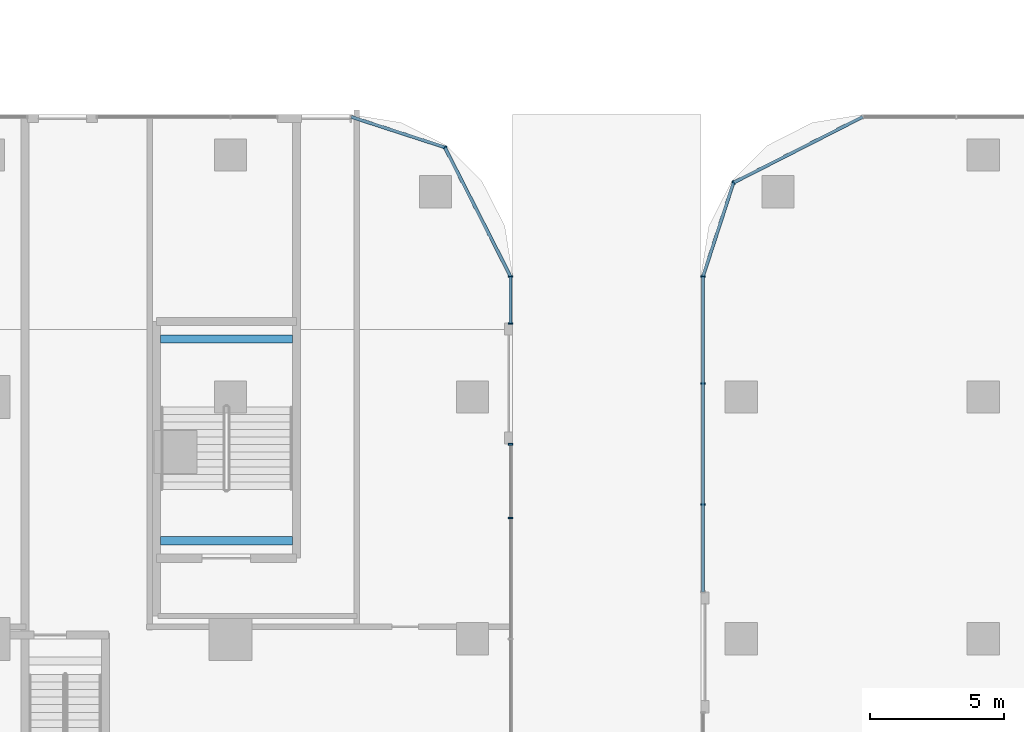
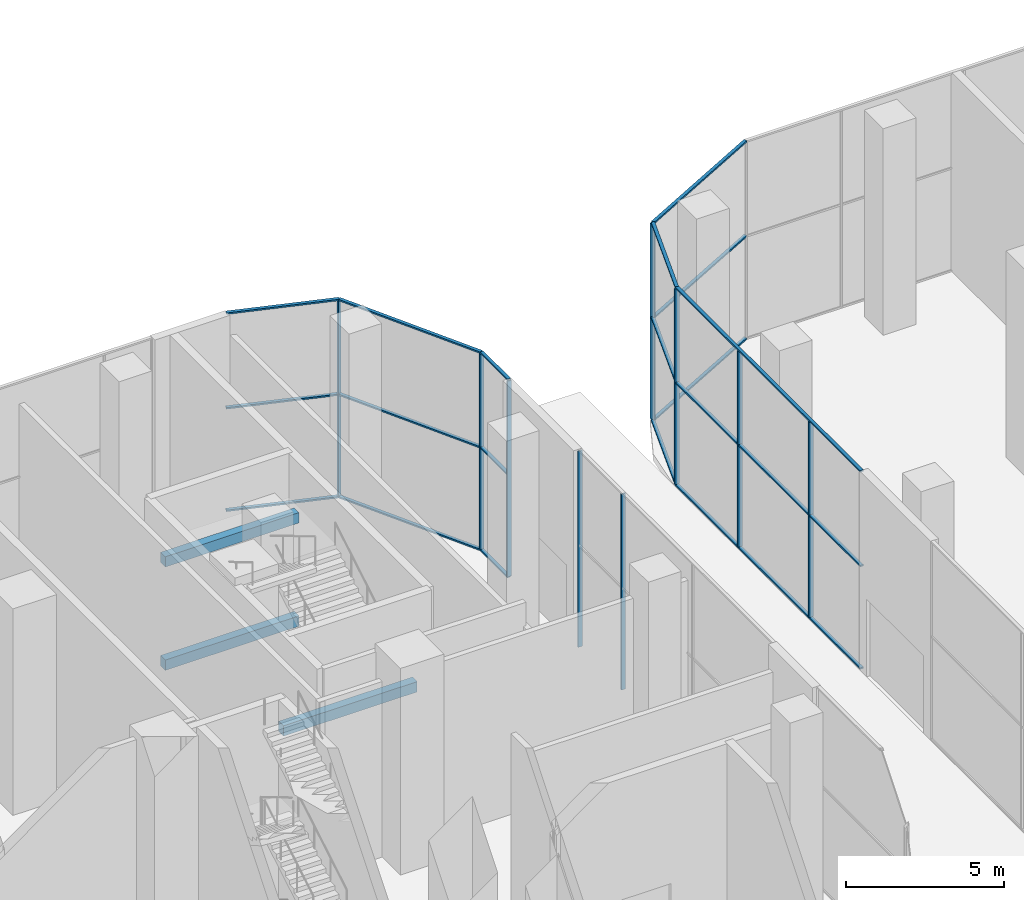
# One storey, part 14 of 54: 27 members, 3 beams, 5 elements without a shape of their own.
"""IFC4 building model written with IfcOpenShell, lengths in metres."""

from ifc_helpers import new_model, si_unit, direction, frame, origin, origin_2d, place, context, subcontext, project, spatial, rectangle, extrude, material, material_profile, profile_set, type_object, element, aggregate, save


model = new_model("IFC4")

# Units and contexts
model_context = context("Model", 3, precision=1e-05, world=origin(), true_north=direction((0.0, 1.0)))
body_context = subcontext(model_context, "Body", "Model", "MODEL_VIEW")
ifc_project = project(units=[si_unit("LENGTHUNIT", "METRE"), si_unit("AREAUNIT", "SQUARE_METRE"), si_unit("VOLUMEUNIT", "CUBIC_METRE"), si_unit("PLANEANGLEUNIT", "RADIAN"), si_unit("MASSUNIT", "GRAM", prefix="KILO")], contexts=[model_context])

# Site, building, storey
site_placement = place(None, origin())
site = spatial("IfcSite", under=ifc_project, at=site_placement, CompositionType="ELEMENT")
building_placement = place(site_placement, origin())
building = spatial("IfcBuilding", under=site, at=building_placement, Name="Ogive Portal Towers", CompositionType="ELEMENT")
storey_placement = place(building_placement, origin())
storey = spatial("IfcBuildingStorey", under=building, at=storey_placement, Name="L00", CompositionType="ELEMENT", Elevation=0.0)

# Beams
ifc_material_1 = material(Name="Concrete C40/50", Category="concrete")
ifc_material_profile_1 = material_profile(ifc_material_1, rectangle(XDim=0.300048828125, YDim=0.39990234375, at=origin_2d()), Name="RC 300x400")
ifc_profile_set_1 = profile_set([ifc_material_profile_1], Name="Concrete C40/50")
beam_type = type_object("IfcBeamType", Name="BEAM RC 300x400", PredefinedType="BEAM", material=ifc_profile_set_1)
for number, where, z_axis, x_axis, name in (
    (1, (91.89990234375, 41.64990234375, 1.60009765625), (1.0, 0.0, 0.0), (0.0, 1.0, 0.0), "Landing beam L00"),
    (2, (91.89990234375, 34.14990234375, 3.60009765625), (1.0, 0.0, 0.0), (0.0, 1.0, 0.0), "Landing beam L00"),
    (3, (91.89990234375, 41.64990234375, 5.60009765625), (1.0, 0.0, 0.0), (0.0, 1.0, 0.0), "Landing beam L00"),
):
    element("IfcBeam", number, at=place(storey_placement, frame(where, z_axis=z_axis, x_axis=x_axis)), inside=storey, type_object=beam_type, Name=name, PredefinedType="BEAM", context=body_context, shape_type="SweptSolid", body=[
        extrude(rectangle(XDim=0.300048828125, YDim=0.39990234375, at=origin_2d()), origin(), (0.0, 0.0, 1.0), 4.900146484375),
    ])

# Curtain wall, members
ifc_material_2 = material(Name="Glass, clear low-iron insulated glazing", Category="glass")
curtain_wall_type = type_object("IfcCurtainWallType", Name="CW PODIUM SHOPFRONT", PredefinedType="NOTDEFINED", material=ifc_material_2)
curtain_wall_1_placement = place(storey_placement, origin())
curtain_wall_1 = element("IfcCurtainWall", 4, at=curtain_wall_1_placement, inside=storey, type_object=curtain_wall_type, Name="A:L00:f05:cw1", PredefinedType="NOTDEFINED")
ifc_material_3 = material(Name="Aluminium 6063 anodised", Category="aluminium")
ifc_material_profile_2 = material_profile(ifc_material_3, rectangle(XDim=0.159912109375, YDim=0.06005859375, at=origin_2d()), Name="AL 60x160")
ifc_profile_set_2 = profile_set([ifc_material_profile_2], Name="Aluminium 6063 anodised")
member_type_1 = type_object("IfcMemberType", Name="CW MULLION 60x160", PredefinedType="MULLION", material=ifc_profile_set_2)
member_1_placement = place(storey_placement, frame((104.919921875, 35.0, 0.06005859375), z_axis=(0.0, 0.0, 1.0), x_axis=(-1.0, 0.0, 0.0)))
member_1 = element("IfcMember", 5, at=member_1_placement, type_object=member_type_1, Name="mullion", PredefinedType="MULLION", context=body_context, shape_type="SweptSolid", body=[
    extrude(rectangle(XDim=0.159912109375, YDim=0.06005859375, at=origin_2d()), origin(), (0.0, 0.0, 1.0), 7.579833984375),
])
member_2_placement = place(storey_placement, frame((104.919921875, 37.73828125, 0.06005859375), z_axis=(0.0, 0.0, 1.0), x_axis=(-1.0, 0.0, 0.0)))
member_2 = element("IfcMember", 6, at=member_2_placement, type_object=member_type_1, Name="mullion", PredefinedType="MULLION", context=body_context, shape_type="SweptSolid", body=[
    extrude(rectangle(XDim=0.159912109375, YDim=0.06005859375, at=origin_2d()), origin(), (0.0, 0.0, 1.0), 7.579833984375),
])
aggregate(curtain_wall_1, [member_1, member_2])

curtain_wall_2_placement = place(storey_placement, origin())
curtain_wall_2 = element("IfcCurtainWall", 7, at=curtain_wall_2_placement, inside=storey, type_object=curtain_wall_type, Name="A:L00:f05:cw2", PredefinedType="NOTDEFINED")
member_3_placement = place(storey_placement, frame((104.919921875, 42.23291015625, 0.06005859375), z_axis=(0.0, 0.0, 1.0), x_axis=(-1.0, 0.0, 0.0)))
member_3 = element("IfcMember", 8, at=member_3_placement, type_object=member_type_1, Name="mullion", PredefinedType="MULLION", context=body_context, shape_type="SweptSolid", body=[
    extrude(rectangle(XDim=0.159912109375, YDim=0.06005859375, at=origin_2d()), origin(), (0.0, 0.0, 1.0), 7.579833984375),
])
member_4_placement = place(storey_placement, frame((104.919921875, 43.980712890625, 0.06005859375), z_axis=(0.0, 0.0, 1.0), x_axis=(-1.0, 0.0, 0.0)))
member_4 = element("IfcMember", 9, at=member_4_placement, type_object=member_type_1, Name="mullion", PredefinedType="MULLION", context=body_context, shape_type="SweptSolid", body=[
    extrude(rectangle(XDim=0.159912109375, YDim=0.06005859375, at=origin_2d()), origin(), (0.0, 0.0, 1.0), 7.579833984375),
])

# Curtain wall, member
curtain_wall_3_placement = place(storey_placement, origin())
curtain_wall_3 = element("IfcCurtainWall", 10, at=curtain_wall_3_placement, inside=storey, type_object=curtain_wall_type, Name="A:L00:f06:cwa", PredefinedType="NOTDEFINED")
member_5_placement = place(storey_placement, frame((102.470458984375, 48.788330078125, 0.06005859375), z_axis=(0.0, 0.0, 1.0), x_axis=(-0.891006524188, -0.45399049974, 0.0)))
member_5 = element("IfcMember", 11, at=member_5_placement, type_object=member_type_1, Name="mullion", PredefinedType="MULLION", context=body_context, shape_type="SweptSolid", body=[
    extrude(rectangle(XDim=0.159912109375, YDim=0.06005859375, at=origin_2d()), origin(), (0.0, 0.0, 1.0), 7.579833984375),
])

# Curtain wall, members
curtain_wall_4_placement = place(storey_placement, origin())
curtain_wall_4 = element("IfcCurtainWall", 12, at=curtain_wall_4_placement, inside=storey, type_object=curtain_wall_type, Name="B:L00:f11:cw0", PredefinedType="NOTDEFINED")
member_6_placement = place(storey_placement, frame((112.080078125, 43.9873046875, 0.06005859375), z_axis=(0.0, 0.0, 1.0), x_axis=(1.0, 0.0, 0.0)))
member_6 = element("IfcMember", 13, at=member_6_placement, type_object=member_type_1, Name="mullion", PredefinedType="MULLION", context=body_context, shape_type="SweptSolid", body=[
    extrude(rectangle(XDim=0.159912109375, YDim=0.06005859375, at=origin_2d()), origin(), (0.0, 0.0, 1.0), 7.579833984375),
])
member_7_placement = place(storey_placement, frame((112.080078125, 40.0, 0.06005859375), z_axis=(0.0, 0.0, 1.0), x_axis=(1.0, 0.0, 0.0)))
member_7 = element("IfcMember", 14, at=member_7_placement, type_object=member_type_1, Name="mullion", PredefinedType="MULLION", context=body_context, shape_type="SweptSolid", body=[
    extrude(rectangle(XDim=0.159912109375, YDim=0.06005859375, at=origin_2d()), origin(), (0.0, 0.0, 1.0), 7.579833984375),
])
member_8_placement = place(storey_placement, frame((112.080078125, 35.5, 0.06005859375), z_axis=(0.0, 0.0, 1.0), x_axis=(1.0, 0.0, 0.0)))
member_8 = element("IfcMember", 15, at=member_8_placement, type_object=member_type_1, Name="mullion", PredefinedType="MULLION", context=body_context, shape_type="SweptSolid", body=[
    extrude(rectangle(XDim=0.159912109375, YDim=0.06005859375, at=origin_2d()), origin(), (0.0, 0.0, 1.0), 7.579833984375),
])

# Curtain wall, member
curtain_wall_5_placement = place(storey_placement, origin())
curtain_wall_5 = element("IfcCurtainWall", 16, at=curtain_wall_5_placement, inside=storey, type_object=curtain_wall_type, Name="B:L00:f09:cwa", PredefinedType="NOTDEFINED")
member_9_placement = place(storey_placement, frame((113.211669921875, 47.470458984375, 0.06005859375), z_axis=(0.0, 0.0, 1.0), x_axis=(0.45399049974, -0.891006524188, 0.0)))
member_9 = element("IfcMember", 17, at=member_9_placement, type_object=member_type_1, Name="mullion", PredefinedType="MULLION", context=body_context, shape_type="SweptSolid", body=[
    extrude(rectangle(XDim=0.159912109375, YDim=0.06005859375, at=origin_2d()), origin(), (0.0, 0.0, 1.0), 7.579833984375),
])

# Member
ifc_material_profile_3 = material_profile(ifc_material_3, rectangle(XDim=0.1201171875, YDim=0.06005859375, at=origin_2d()), Name="AL 120x60")
ifc_profile_set_3 = profile_set([ifc_material_profile_3], Name="Aluminium 6063 anodised")
member_type_2 = type_object("IfcMemberType", Name="CW TRANSOM 60x120", PredefinedType="USERDEFINED", material=ifc_profile_set_3)
member_10_placement = place(storey_placement, frame((104.919921875, 42.23291015625, 0.030029296875), z_axis=(0.0, 1.0, 0.0), x_axis=(-1.0, 0.0, 0.0)))
member_10 = element("IfcMember", 18, at=member_10_placement, type_object=member_type_2, Name="transom", ObjectType="TRANSOM", PredefinedType="USERDEFINED", context=body_context, shape_type="SweptSolid", body=[
    extrude(rectangle(XDim=0.1201171875, YDim=0.06005859375, at=origin_2d()), origin(), (0.0, 0.0, 1.0), 1.747802734375),
])

member_11_placement = place(storey_placement, frame((104.919921875, 42.23291015625, 4.0), z_axis=(0.0, 1.0, 0.0), x_axis=(-1.0, 0.0, 0.0)))
member_11 = element("IfcMember", 19, at=member_11_placement, type_object=member_type_2, Name="transom", ObjectType="TRANSOM", PredefinedType="USERDEFINED", context=body_context, shape_type="SweptSolid", body=[
    extrude(rectangle(XDim=0.1201171875, YDim=0.06005859375, at=origin_2d()), origin(), (0.0, 0.0, 1.0), 1.747802734375),
])

member_12_placement = place(storey_placement, frame((104.919921875, 42.23291015625, 7.669921875), z_axis=(0.0, 1.0, 0.0), x_axis=(-1.0, 0.0, 0.0)))
member_12 = element("IfcMember", 20, at=member_12_placement, type_object=member_type_2, Name="transom", ObjectType="TRANSOM", PredefinedType="USERDEFINED", context=body_context, shape_type="SweptSolid", body=[
    extrude(rectangle(XDim=0.1201171875, YDim=0.06005859375, at=origin_2d()), origin(), (0.0, 0.0, 1.0), 1.747802734375),
])

aggregate(curtain_wall_2, [member_10, member_11, member_12, member_3, member_4])

member_13_placement = place(storey_placement, frame((104.919921875, 43.980712890625, 0.030029296875), z_axis=(-0.453969839149, 0.891017050983, 0.0), x_axis=(-0.891017050983, -0.453969839149, 0.0)))
member_13 = element("IfcMember", 21, at=member_13_placement, type_object=member_type_2, Name="transom", ObjectType="TRANSOM", PredefinedType="USERDEFINED", context=body_context, shape_type="SweptSolid", body=[
    extrude(rectangle(XDim=0.1201171875, YDim=0.06005859375, at=origin_2d()), origin(), (0.0, 0.0, 1.0), 5.395751953125),
])

member_14_placement = place(storey_placement, frame((104.919921875, 43.980712890625, 4.0), z_axis=(-0.453969839149, 0.891017050983, 0.0), x_axis=(-0.891017050983, -0.453969839149, 0.0)))
member_14 = element("IfcMember", 22, at=member_14_placement, type_object=member_type_2, Name="transom", ObjectType="TRANSOM", PredefinedType="USERDEFINED", context=body_context, shape_type="SweptSolid", body=[
    extrude(rectangle(XDim=0.1201171875, YDim=0.06005859375, at=origin_2d()), origin(), (0.0, 0.0, 1.0), 5.395751953125),
])

member_15_placement = place(storey_placement, frame((104.919921875, 43.980712890625, 7.669921875), z_axis=(-0.453969839149, 0.891017050983, 0.0), x_axis=(-0.891017050983, -0.453969839149, 0.0)))
member_15 = element("IfcMember", 23, at=member_15_placement, type_object=member_type_2, Name="transom", ObjectType="TRANSOM", PredefinedType="USERDEFINED", context=body_context, shape_type="SweptSolid", body=[
    extrude(rectangle(XDim=0.1201171875, YDim=0.06005859375, at=origin_2d()), origin(), (0.0, 0.0, 1.0), 5.395751953125),
])

member_16_placement = place(storey_placement, frame((102.470458984375, 48.788330078125, 0.030029296875), z_axis=(-0.951068844598, 0.308979049184, 0.0), x_axis=(-0.308979049184, -0.951068844598, 0.0)))
member_16 = element("IfcMember", 24, at=member_16_placement, type_object=member_type_2, Name="transom", ObjectType="TRANSOM", PredefinedType="USERDEFINED", context=body_context, shape_type="SweptSolid", body=[
    extrude(rectangle(XDim=0.1201171875, YDim=0.06005859375, at=origin_2d()), origin(), (0.0, 0.0, 1.0), 3.662353515625),
])

member_17_placement = place(storey_placement, frame((102.470458984375, 48.788330078125, 4.0), z_axis=(-0.951068844598, 0.308979049184, 0.0), x_axis=(-0.308979049184, -0.951068844598, 0.0)))
member_17 = element("IfcMember", 25, at=member_17_placement, type_object=member_type_2, Name="transom", ObjectType="TRANSOM", PredefinedType="USERDEFINED", context=body_context, shape_type="SweptSolid", body=[
    extrude(rectangle(XDim=0.1201171875, YDim=0.06005859375, at=origin_2d()), origin(), (0.0, 0.0, 1.0), 3.662353515625),
])

member_18_placement = place(storey_placement, frame((102.470458984375, 48.788330078125, 7.669921875), z_axis=(-0.951068844598, 0.308979049184, 0.0), x_axis=(-0.308979049184, -0.951068844598, 0.0)))
member_18 = element("IfcMember", 26, at=member_18_placement, type_object=member_type_2, Name="transom", ObjectType="TRANSOM", PredefinedType="USERDEFINED", context=body_context, shape_type="SweptSolid", body=[
    extrude(rectangle(XDim=0.1201171875, YDim=0.06005859375, at=origin_2d()), origin(), (0.0, 0.0, 1.0), 3.662353515625),
])

aggregate(curtain_wall_3, [member_13, member_14, member_15, member_16, member_17, member_18, member_5])

member_19_placement = place(storey_placement, frame((112.080078125, 43.9873046875, 0.030029296875), z_axis=(0.0, -1.0, 0.0), x_axis=(1.0, 0.0, 0.0)))
member_19 = element("IfcMember", 27, at=member_19_placement, type_object=member_type_2, Name="transom", ObjectType="TRANSOM", PredefinedType="USERDEFINED", context=body_context, shape_type="SweptSolid", body=[
    extrude(rectangle(XDim=0.1201171875, YDim=0.06005859375, at=origin_2d()), origin(), (0.0, 0.0, 1.0), 11.736083984375),
])

member_20_placement = place(storey_placement, frame((112.080078125, 43.9873046875, 4.0), z_axis=(0.0, -1.0, 0.0), x_axis=(1.0, 0.0, 0.0)))
member_20 = element("IfcMember", 28, at=member_20_placement, type_object=member_type_2, Name="transom", ObjectType="TRANSOM", PredefinedType="USERDEFINED", context=body_context, shape_type="SweptSolid", body=[
    extrude(rectangle(XDim=0.1201171875, YDim=0.06005859375, at=origin_2d()), origin(), (0.0, 0.0, 1.0), 11.736083984375),
])

member_21_placement = place(storey_placement, frame((112.080078125, 43.9873046875, 7.669921875), z_axis=(0.0, -1.0, 0.0), x_axis=(1.0, 0.0, 0.0)))
member_21 = element("IfcMember", 29, at=member_21_placement, type_object=member_type_2, Name="transom", ObjectType="TRANSOM", PredefinedType="USERDEFINED", context=body_context, shape_type="SweptSolid", body=[
    extrude(rectangle(XDim=0.1201171875, YDim=0.06005859375, at=origin_2d()), origin(), (0.0, 0.0, 1.0), 11.736083984375),
])

aggregate(curtain_wall_4, [member_19, member_20, member_21, member_6, member_7, member_8])

member_22_placement = place(storey_placement, frame((118.019287109375, 49.919921875, 0.030029296875), z_axis=(-0.891017050983, -0.453969839149, 0.0), x_axis=(0.453969839149, -0.891017050983, 0.0)))
member_22 = element("IfcMember", 30, at=member_22_placement, type_object=member_type_2, Name="transom", ObjectType="TRANSOM", PredefinedType="USERDEFINED", context=body_context, shape_type="SweptSolid", body=[
    extrude(rectangle(XDim=0.1201171875, YDim=0.06005859375, at=origin_2d()), origin(), (0.0, 0.0, 1.0), 5.395751953125),
])

member_23_placement = place(storey_placement, frame((118.019287109375, 49.919921875, 4.0), z_axis=(-0.891017050983, -0.453969839149, 0.0), x_axis=(0.453969839149, -0.891017050983, 0.0)))
member_23 = element("IfcMember", 31, at=member_23_placement, type_object=member_type_2, Name="transom", ObjectType="TRANSOM", PredefinedType="USERDEFINED", context=body_context, shape_type="SweptSolid", body=[
    extrude(rectangle(XDim=0.1201171875, YDim=0.06005859375, at=origin_2d()), origin(), (0.0, 0.0, 1.0), 5.395751953125),
])

member_24_placement = place(storey_placement, frame((118.019287109375, 49.919921875, 7.669921875), z_axis=(-0.891017050983, -0.453969839149, 0.0), x_axis=(0.453969839149, -0.891017050983, 0.0)))
member_24 = element("IfcMember", 32, at=member_24_placement, type_object=member_type_2, Name="transom", ObjectType="TRANSOM", PredefinedType="USERDEFINED", context=body_context, shape_type="SweptSolid", body=[
    extrude(rectangle(XDim=0.1201171875, YDim=0.06005859375, at=origin_2d()), origin(), (0.0, 0.0, 1.0), 5.395751953125),
])

member_25_placement = place(storey_placement, frame((113.211669921875, 47.470458984375, 0.030029296875), z_axis=(-0.308979049184, -0.951068844598, 0.0), x_axis=(0.951068844598, -0.308979049184, 0.0)))
member_25 = element("IfcMember", 33, at=member_25_placement, type_object=member_type_2, Name="transom", ObjectType="TRANSOM", PredefinedType="USERDEFINED", context=body_context, shape_type="SweptSolid", body=[
    extrude(rectangle(XDim=0.1201171875, YDim=0.06005859375, at=origin_2d()), origin(), (0.0, 0.0, 1.0), 3.662353515625),
])

member_26_placement = place(storey_placement, frame((113.211669921875, 47.470458984375, 4.0), z_axis=(-0.308979049184, -0.951068844598, 0.0), x_axis=(0.951068844598, -0.308979049184, 0.0)))
member_26 = element("IfcMember", 34, at=member_26_placement, type_object=member_type_2, Name="transom", ObjectType="TRANSOM", PredefinedType="USERDEFINED", context=body_context, shape_type="SweptSolid", body=[
    extrude(rectangle(XDim=0.1201171875, YDim=0.06005859375, at=origin_2d()), origin(), (0.0, 0.0, 1.0), 3.662353515625),
])

member_27_placement = place(storey_placement, frame((113.211669921875, 47.470458984375, 7.669921875), z_axis=(-0.308979049184, -0.951068844598, 0.0), x_axis=(0.951068844598, -0.308979049184, 0.0)))
member_27 = element("IfcMember", 35, at=member_27_placement, type_object=member_type_2, Name="transom", ObjectType="TRANSOM", PredefinedType="USERDEFINED", context=body_context, shape_type="SweptSolid", body=[
    extrude(rectangle(XDim=0.1201171875, YDim=0.06005859375, at=origin_2d()), origin(), (0.0, 0.0, 1.0), 3.662353515625),
])

aggregate(curtain_wall_5, [member_22, member_23, member_24, member_25, member_26, member_27, member_9])

save(model, "model.ifc")
